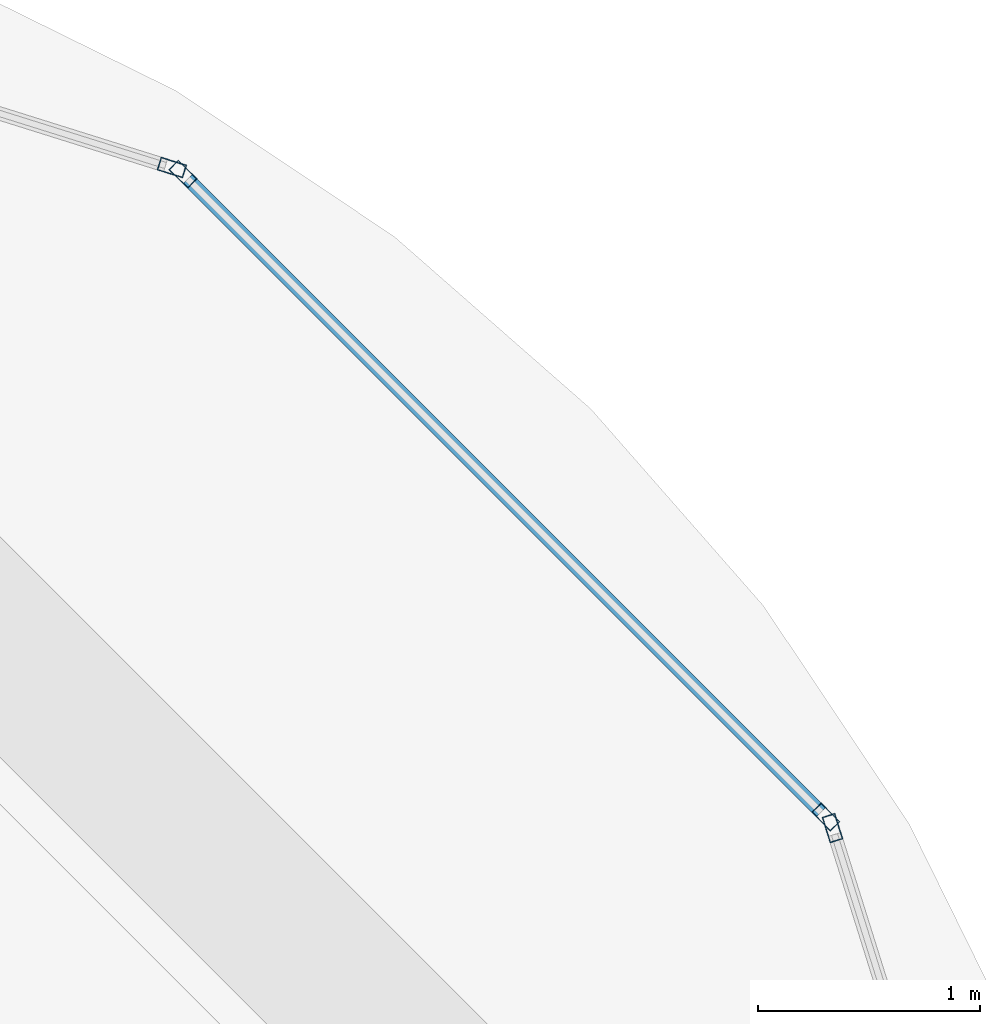
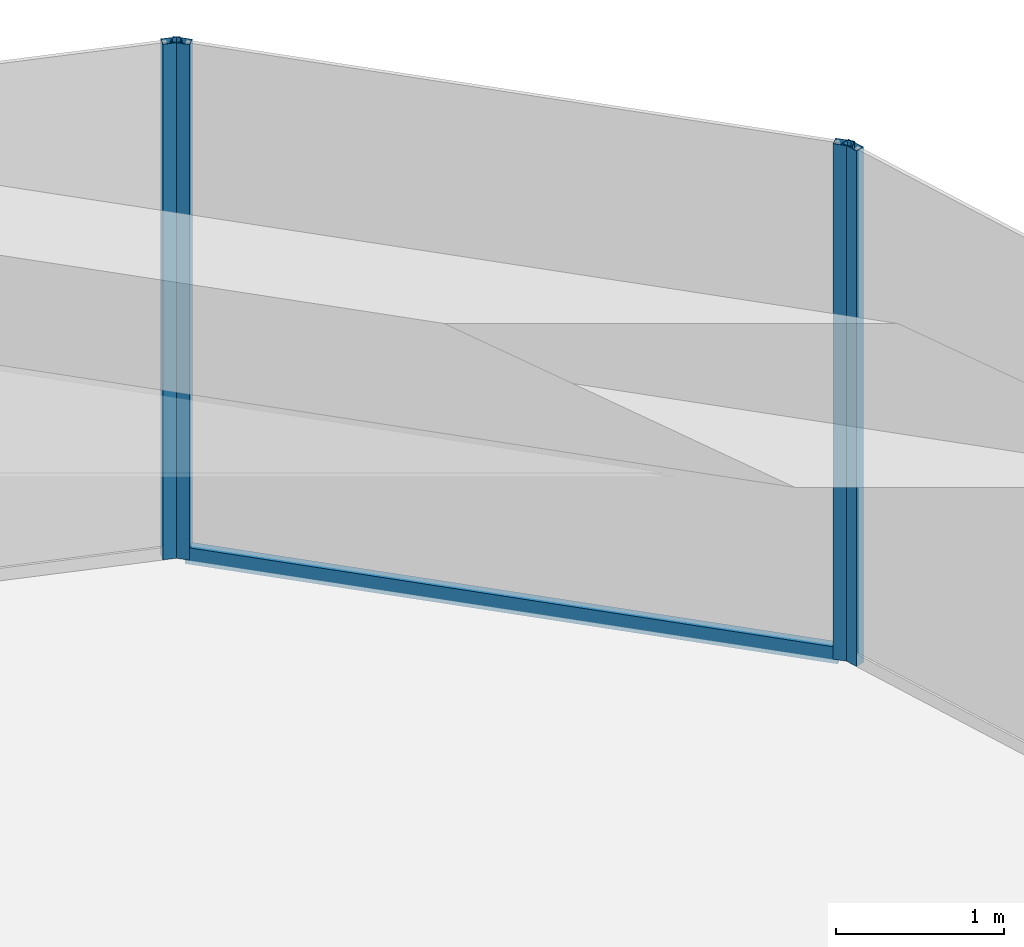
# One storey, part 39 of 44: 5 members, 3 elements without a shape of their own.
"""IFC4 building model written with IfcOpenShell, lengths in metres."""

import ifcopenshell
import ifcopenshell.guid

model = None  # the IFC model being written
_history = None  # IfcOwnerHistory: only IFC2X3 demands one
_inside = {}  # id of a spatial element -> (the spatial element, [elements in it])
_under = {}  # id of a project, library or spatial element -> (it, [spatial elements below it])
_declared = {}  # id of a project -> (the project, [libraries it declares])
_typed = {}  # id of a type object -> (the type object, [elements of that type])
_made_of = {}  # id of a material, layer set ... -> (it, [elements and type objects made of it])


def new_model(schema):
    """Start an empty IFC model of exactly this schema.

    Asked for "IFC4X3", IfcOpenShell would pick the latest addendum, in which some entities
    have other attributes; the version numbers below select the first issue.
    IFC2X3 requires an IfcOwnerHistory on every rooted entity: one is made here for all.
    """
    global model, _history
    if schema == "IFC4X3":
        model = ifcopenshell.file(schema_version=(4, 3, 0, 0))
    else:
        model = ifcopenshell.file(schema=schema)
    _inside.clear()
    _under.clear()
    _declared.clear()
    _typed.clear()
    _made_of.clear()
    _history = None
    if model.schema == "IFC2X3":
        org = make("IfcOrganization", Name="unknown")
        user = make(
            "IfcPersonAndOrganization",
            ThePerson=make("IfcPerson", FamilyName="unknown"),
            TheOrganization=org,
        )
        app = make(
            "IfcApplication",
            ApplicationDeveloper=org,
            Version="unknown",
            ApplicationFullName="unknown",
            ApplicationIdentifier="unknown",
        )
        _history = make(
            "IfcOwnerHistory",
            OwningUser=user,
            OwningApplication=app,
            ChangeAction="ADDED",
            CreationDate=0,
        )
    return model


def make(cls, **values):
    """One entity of the class cls with the attributes given. An attribute that is None is left unset."""
    return model.create_entity(
        cls, **{name: value for name, value in values.items() if value is not None}
    )


def rooted(cls, **values):
    """An entity with a GlobalId (a new one), such as an element, a storey or a relation."""
    return make(cls, GlobalId=ifcopenshell.guid.new(), OwnerHistory=_history, **values)


def si_unit(unit_type, name, prefix=None):
    """IfcSIUnit, for example si_unit("LENGTHUNIT", "METRE", prefix="MILLI")."""
    return make("IfcSIUnit", UnitType=unit_type, Prefix=prefix, Name=name)


def assignment(units):
    """IfcUnitAssignment: the units of a project."""
    return None if units is None else make("IfcUnitAssignment", Units=units)


def point(xyz):
    """IfcCartesianPoint."""
    return None if xyz is None else make("IfcCartesianPoint", Coordinates=xyz)


def direction(xyz):
    """IfcDirection."""
    return None if xyz is None else make("IfcDirection", DirectionRatios=xyz)


def frame(location, z_axis=None, x_axis=None):
    """IfcAxis2Placement3D, a coordinate frame: its origin and axes. An axis left out is left unset."""
    return make(
        "IfcAxis2Placement3D",
        Location=point(location),
        Axis=direction(z_axis),
        RefDirection=direction(x_axis),
    )


def frame_2d(location, x_axis=None):
    """IfcAxis2Placement2D, a coordinate frame in the plane: its origin and x axis."""
    return make(
        "IfcAxis2Placement2D", Location=point(location), RefDirection=direction(x_axis)
    )


def origin():
    """The frame at (0, 0, 0) with its axes left unset."""
    return frame((0.0, 0.0, 0.0))


def origin_2d():
    """The frame at (0, 0) in the plane with its x axis left unset."""
    return frame_2d((0.0, 0.0))


def place(relative_to, where):
    """IfcLocalPlacement: puts the frame where relative to a parent placement (None: the world)."""
    return make(
        "IfcLocalPlacement", PlacementRelTo=relative_to, RelativePlacement=where
    )


def context(
    kind, dimensions, precision=None, world=None, true_north=None, identifier=None
):
    """IfcGeometricRepresentationContext, for example the 3D "Model" context."""
    return make(
        "IfcGeometricRepresentationContext",
        ContextIdentifier=identifier,
        ContextType=kind,
        CoordinateSpaceDimension=dimensions,
        Precision=precision,
        WorldCoordinateSystem=world,
        TrueNorth=true_north,
    )


def subcontext(parent, identifier, kind, view, scale=None):
    """IfcGeometricRepresentationSubContext, for example "Body" below "Model"."""
    return make(
        "IfcGeometricRepresentationSubContext",
        ContextIdentifier=identifier,
        ContextType=kind,
        ParentContext=parent,
        TargetScale=scale,
        TargetView=view,
    )


def project(units=None, contexts=None):
    """IfcProject with its units and contexts."""
    return rooted(
        "IfcProject",
        Name="project",
        RepresentationContexts=contexts,
        UnitsInContext=assignment(units),
    )


def spatial(cls, under=None, at=None, **own):
    """A site, building, storey or space (cls), placed at a placement, below another one or the project."""
    s = rooted(cls, ObjectPlacement=at, **own)
    if under is not None:
        _under.setdefault(under.id(), (under, []))[1].append(s)
    return s


def profile(cls, at=None, kind="AREA", **sizes):
    """A parametric profile (cls). Its sizes go by their IFC names, for example OverallWidth=200.0."""
    return make(cls, ProfileType=kind, Position=at, **sizes)


def hollow_rectangle(**sizes):
    """IfcRectangleHollowProfileDef."""
    return profile("IfcRectangleHollowProfileDef", **sizes)


def extrude(swept, where, along, depth):
    """IfcExtrudedAreaSolid: the profile swept, set in the frame where, extruded along a direction by depth."""
    return make(
        "IfcExtrudedAreaSolid",
        SweptArea=swept,
        Position=where,
        ExtrudedDirection=direction(along),
        Depth=depth,
    )


def shape(context_of_items, identifier, shape_type, items):
    """IfcShapeRepresentation: the items that make up one representation, for example the "Body"."""
    return make(
        "IfcShapeRepresentation",
        ContextOfItems=context_of_items,
        RepresentationIdentifier=identifier,
        RepresentationType=shape_type,
        Items=items,
    )


def material(Name=None, Category=None):
    """IfcMaterial."""
    return make("IfcMaterial", Name=Name, Category=Category)


def material_profile(
    of_material, cross_section, Name=None, Category=None, Priority=None
):
    """IfcMaterialProfile: a cross section and its material."""
    return make(
        "IfcMaterialProfile",
        Name=Name,
        Material=of_material,
        Profile=cross_section,
        Priority=Priority,
        Category=Category,
    )


def profile_set(profiles, Name=None, composite=None):
    """IfcMaterialProfileSet."""
    return make(
        "IfcMaterialProfileSet",
        Name=Name,
        MaterialProfiles=profiles,
        CompositeProfile=composite,
    )


def made_of(thing, what):
    """Note that an element or type object is made of a material, layer set ...; save() writes the relation."""
    if what is not None:
        _made_of.setdefault(what.id(), (what, []))[1].append(thing)
    return thing


def type_object(cls, material=None, **own):
    """A type object (cls), such as IfcWallType, which elements share."""
    return made_of(rooted(cls, **own), material)


def element(
    cls,
    number,
    at=None,
    inside=None,
    cuts=None,
    type_object=None,
    material=None,
    context=None,
    identifier="Body",
    shape_type=None,
    held_by="IfcProductDefinitionShape",
    body=None,
    shapes=None,
    **own,
):
    """One element of the class cls, such as IfcWall. Its Tag is "e" and its number.

    at: its placement. inside: the storey or other place that contains it. cuts: it is an
    opening in that element (IfcRelVoidsElement). A single representation is given by context,
    identifier, shape_type and body (its items); several are given by shapes. held_by: the class
    of the entity that holds the representations. save() writes the other relations.
    """
    e = rooted(cls, Tag="e%d" % number, ObjectPlacement=at, **own)
    if body is not None:
        shapes = [shape(context, identifier, shape_type, body)]
    if shapes is not None:
        e.Representation = make(held_by, Representations=shapes)
    if inside is not None:
        _inside.setdefault(inside.id(), (inside, []))[1].append(e)
    if cuts is not None:
        rooted(
            "IfcRelVoidsElement", RelatingBuildingElement=cuts, RelatedOpeningElement=e
        )
    if type_object is not None:
        _typed.setdefault(type_object.id(), (type_object, []))[1].append(e)
    return made_of(e, material)


def aggregate(whole, parts):
    """IfcRelAggregates: a whole, such as a stair, and the parts it consists of."""
    return rooted("IfcRelAggregates", RelatingObject=whole, RelatedObjects=parts)


def save(model, path):
    """Write the relations noted so far, then the file.

    IfcRelAggregates (storeys below a building ...), IfcRelContainedInSpatialStructure (elements
    in a storey), IfcRelDefinesByType, IfcRelAssociatesMaterial and IfcRelDeclares: one each for
    every whole, place, type object, material and project.
    """
    for whole, parts in _under.values():
        aggregate(whole, parts)
    for where, things in _inside.values():
        rooted(
            "IfcRelContainedInSpatialStructure",
            RelatedElements=things,
            RelatingStructure=where,
        )
    for kind, things in _typed.values():
        rooted("IfcRelDefinesByType", RelatedObjects=things, RelatingType=kind)
    for what, things in _made_of.values():
        rooted("IfcRelAssociatesMaterial", RelatedObjects=things, RelatingMaterial=what)
    for by, libraries in _declared.values():
        rooted("IfcRelDeclares", RelatingContext=by, RelatedDefinitions=libraries)
    model.write(path)


model = new_model("IFC4")

# Units and contexts
model_context = context("Model", 3, precision=1e-05, world=origin(), true_north=direction((0.0, 1.0)))
body_context = subcontext(model_context, "Body", "Model", "MODEL_VIEW")
ifc_project = project(units=[si_unit("LENGTHUNIT", "METRE"), si_unit("AREAUNIT", "SQUARE_METRE"), si_unit("VOLUMEUNIT", "CUBIC_METRE"), si_unit("PLANEANGLEUNIT", "RADIAN"), si_unit("MASSUNIT", "GRAM", prefix="KILO")], contexts=[model_context])

# Site, building, storey
site_placement = place(None, origin())
site = spatial("IfcSite", under=ifc_project, at=site_placement, CompositionType="ELEMENT")
building_placement = place(site_placement, origin())
building = spatial("IfcBuilding", under=site, at=building_placement, Name="Zorevar Civic Tower", CompositionType="ELEMENT")
storey_placement = place(building_placement, frame((0.0, 0.0, 275.39990234375)))
storey = spatial("IfcBuildingStorey", under=building, at=storey_placement, Name="L67", CompositionType="ELEMENT", Elevation=275.39990234375)

# Curtain wall, member
ifc_material_1 = material(Name="Dark grey solar-control glass in black aluminium frame", Category="aluminium")
curtain_wall_type = type_object("IfcCurtainWallType", Name="Curtain wall CW5 top zone", PredefinedType="NOTDEFINED", material=ifc_material_1)
curtain_wall_1_placement = place(storey_placement, origin())
curtain_wall_1 = element("IfcCurtainWall", 1, at=curtain_wall_1_placement, inside=storey, type_object=curtain_wall_type, Name="CW5 L67", PredefinedType="NOTDEFINED")
ifc_material_2 = material(Name="Aluminium, black anodised", Category="aluminium")
ifc_material_profile_1 = material_profile(ifc_material_2, hollow_rectangle(XDim=0.06005859375, YDim=0.1201171875, WallThickness=0.0029296875, at=origin_2d()), Name="AL 120x60x3")
ifc_profile_set_1 = profile_set([ifc_material_profile_1], Name="Aluminium, black anodised")
member_type_1 = type_object("IfcMemberType", Name="CW5 mullion AL 120x60x3", PredefinedType="MULLION", material=ifc_profile_set_1)
member_1_placement = place(storey_placement, frame((52.449951171875, 40.479248046875, 0.0), z_axis=(0.0, 0.0, 1.0), x_axis=(-0.954153437674, -0.299317920238, 0.0)))
member_1 = element("IfcMember", 2, at=member_1_placement, type_object=member_type_1, Name="CW5 mullion 2", PredefinedType="MULLION", context=body_context, shape_type="SweptSolid", body=[
    extrude(hollow_rectangle(XDim=0.06005859375, YDim=0.1201171875, WallThickness=0.0029296875, at=origin_2d()), origin(), (0.0, 0.0, 1.0), 3.75),
])
aggregate(curtain_wall_1, [member_1])

# Curtain wall, members
curtain_wall_2_placement = place(storey_placement, origin())
curtain_wall_2 = element("IfcCurtainWall", 3, at=curtain_wall_2_placement, inside=storey, type_object=curtain_wall_type, Name="CW5 L67", PredefinedType="NOTDEFINED")
member_2_placement = place(storey_placement, frame((52.419677734375, 40.529052734375, 0.0), z_axis=(0.0, 0.0, 1.0), x_axis=(-0.707106781187, -0.707106781187, 0.0)))
member_2 = element("IfcMember", 4, at=member_2_placement, type_object=member_type_1, Name="CW5 mullion 1", PredefinedType="MULLION", context=body_context, shape_type="SweptSolid", body=[
    extrude(hollow_rectangle(XDim=0.06005859375, YDim=0.1201171875, WallThickness=0.0029296875, at=origin_2d()), origin(), (0.0, 0.0, 1.0), 3.75),
])
member_3_placement = place(storey_placement, frame((49.529052734375, 43.419677734375, 0.0), z_axis=(0.0, 0.0, 1.0), x_axis=(-0.707106781187, -0.707106781187, 0.0)))
member_3 = element("IfcMember", 5, at=member_3_placement, type_object=member_type_1, Name="CW5 mullion 2", PredefinedType="MULLION", context=body_context, shape_type="SweptSolid", body=[
    extrude(hollow_rectangle(XDim=0.06005859375, YDim=0.1201171875, WallThickness=0.0029296875, at=origin_2d()), origin(), (0.0, 0.0, 1.0), 3.75),
])

# Curtain wall, member
curtain_wall_3_placement = place(storey_placement, origin())
curtain_wall_3 = element("IfcCurtainWall", 6, at=curtain_wall_3_placement, inside=storey, type_object=curtain_wall_type, Name="CW5 L67", PredefinedType="NOTDEFINED")
member_4_placement = place(storey_placement, frame((49.479248046875, 43.449951171875, 0.0), z_axis=(0.0, 0.0, 1.0), x_axis=(-0.299317920238, -0.954153437674, 0.0)))
member_4 = element("IfcMember", 7, at=member_4_placement, type_object=member_type_1, Name="CW5 mullion 1", PredefinedType="MULLION", context=body_context, shape_type="SweptSolid", body=[
    extrude(hollow_rectangle(XDim=0.06005859375, YDim=0.1201171875, WallThickness=0.0029296875, at=origin_2d()), origin(), (0.0, 0.0, 1.0), 3.75),
])
aggregate(curtain_wall_3, [member_4])

# Member
ifc_material_3 = material(Name="Aluminium, black anodised", Category="aluminium")
ifc_material_profile_2 = material_profile(ifc_material_3, hollow_rectangle(XDim=0.06005859375, YDim=0.1201171875, WallThickness=0.0029296875, at=origin_2d()), Name="AL 120x60x3")
ifc_profile_set_2 = profile_set([ifc_material_profile_2], Name="Aluminium, black anodised")
member_type_2 = type_object("IfcMemberType", Name="CW5 transom AL 120x60x3", PredefinedType="USERDEFINED", material=ifc_profile_set_2)
member_5_placement = place(storey_placement, frame((52.3984375, 40.55029296875, 0.030029296875), z_axis=(-0.707106781187, 0.707106781187, 0.0), x_axis=(-0.707106781187, -0.707106781187, 0.0)))
member_5 = element("IfcMember", 8, at=member_5_placement, type_object=member_type_2, Name="CW5 sill transom", ObjectType="TRANSOM", PredefinedType="USERDEFINED", context=body_context, shape_type="SweptSolid", body=[
    extrude(hollow_rectangle(XDim=0.06005859375, YDim=0.1201171875, WallThickness=0.0029296875, at=origin_2d()), origin(), (0.0, 0.0, 1.0), 4.02783203125),
])

aggregate(curtain_wall_2, [member_2, member_3, member_5])

save(model, "model.ifc")
